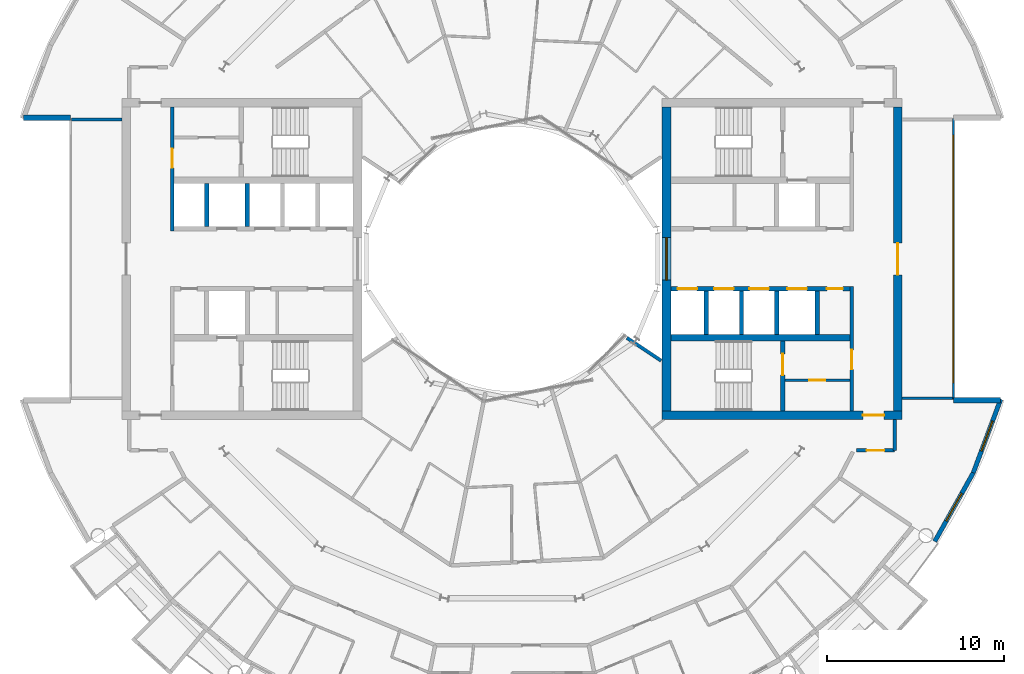
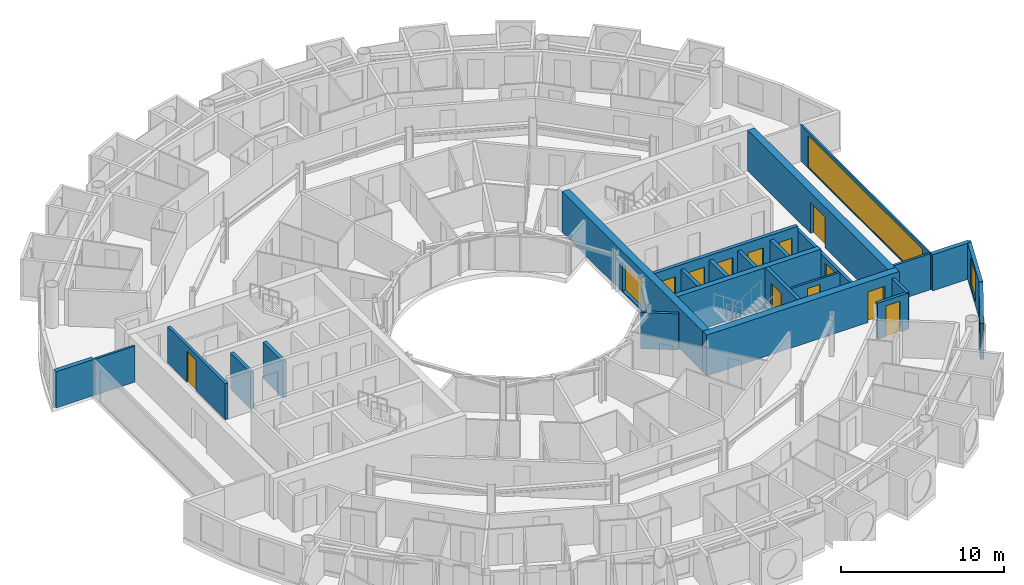
# One storey, part 18 of 27: 25 walls, 12 doors, 4 windows, 16 openings.
"""IFC4 building model written with IfcOpenShell, lengths in metres."""

from ifc_helpers import new_model, si_unit, direction, frame, frame_2d, origin, place, context, subcontext, project, spatial, rectangle, extrude, material, layer, layer_set, type_object, element, fill, save


model = new_model("IFC4")

# Units and contexts
model_context = context("Model", 3, precision=1e-05, world=origin(), true_north=direction((0.0, 1.0)))
body_context = subcontext(model_context, "Body", "Model", "MODEL_VIEW")
ifc_project = project(units=[si_unit("LENGTHUNIT", "METRE"), si_unit("AREAUNIT", "SQUARE_METRE"), si_unit("VOLUMEUNIT", "CUBIC_METRE"), si_unit("PLANEANGLEUNIT", "RADIAN"), si_unit("MASSUNIT", "GRAM", prefix="KILO")], contexts=[model_context])

# Site, building, storey
site_placement = place(None, origin())
site = spatial("IfcSite", under=ifc_project, at=site_placement, CompositionType="ELEMENT")
building_placement = place(site_placement, origin())
building = spatial("IfcBuilding", under=site, at=building_placement, Name="Maasbend Ring Residences", CompositionType="ELEMENT")
storey_placement = place(building_placement, frame((0.0, 0.0, 167.699951171875)))
storey = spatial("IfcBuildingStorey", under=building, at=storey_placement, Name="L48", CompositionType="ELEMENT", Elevation=167.699951171875)

# Wall, openings, doors
ifc_material_1 = material(Name="Concrete C60/75", Category="concrete")
ifc_layer_1 = layer(ifc_material_1, 0.25)
ifc_layer_set_1 = layer_set([ifc_layer_1], Name="Concrete C60/75")
wall_type_1 = type_object("IfcWallType", Name="CORE WALL 250 C60/75", PredefinedType="SHEAR", material=ifc_layer_set_1)
wall_1_placement = place(storey_placement, frame((19.14990234375, -1.699951171875, 0.0), z_axis=(0.0, 0.0, 1.0), x_axis=(-1.0, 0.0, 0.0)))
wall_1 = element("IfcWall", 1, at=wall_1_placement, inside=storey, type_object=wall_type_1, Name="L48 core E wall SPS", PredefinedType="SHEAR", context=body_context, shape_type="SweptSolid", body=[
    extrude(rectangle(XDim=10.14990234375, YDim=0.25, at=frame_2d((5.074951171875, 0.0))), origin(), (0.0, 0.0, 1.0), 3.050048828125),
])
opening_1_placement = place(wall_1_placement, frame((8.66259765625, 0.0, 0.0)))
opening_1 = element("IfcOpeningElement", 2, at=opening_1_placement, cuts=wall_1, Name="Opening LD-E4802", PredefinedType="OPENING", context=body_context, shape_type="SweptSolid", body=[
    extrude(rectangle(XDim=1.10009765625, YDim=2.300048828125, at=frame_2d((0.550048828125, 1.14990234375))), frame((0.0, 0.135009765625, 0.0), z_axis=(0.0, -1.0, 0.0), x_axis=(1.0, 0.0, 0.0)), (0.0, 0.0, 1.0), 0.27001953125),
])
opening_2_placement = place(wall_1_placement, frame((6.60009765625, 0.0, 0.0)))
opening_2 = element("IfcOpeningElement", 3, at=opening_2_placement, cuts=wall_1, Name="Opening LD-E4803", PredefinedType="OPENING", context=body_context, shape_type="SweptSolid", body=[
    extrude(rectangle(XDim=1.10009765625, YDim=2.300048828125, at=frame_2d((0.550048828125, 1.14990234375))), frame((0.0, 0.135009765625, 0.0), z_axis=(0.0, -1.0, 0.0), x_axis=(1.0, 0.0, 0.0)), (0.0, 0.0, 1.0), 0.27001953125),
])
opening_3_placement = place(wall_1_placement, frame((4.60009765625, 0.0, 0.0)))
opening_3 = element("IfcOpeningElement", 4, at=opening_3_placement, cuts=wall_1, Name="Opening LD-E4804", PredefinedType="OPENING", context=body_context, shape_type="SweptSolid", body=[
    extrude(rectangle(XDim=1.10009765625, YDim=2.300048828125, at=frame_2d((0.550048828125, 1.14990234375))), frame((0.0, 0.135009765625, 0.0), z_axis=(0.0, -1.0, 0.0), x_axis=(1.0, 0.0, 0.0)), (0.0, 0.0, 1.0), 0.27001953125),
])
opening_4_placement = place(wall_1_placement, frame((2.449951171875, 0.0, 0.0)))
opening_4 = element("IfcOpeningElement", 5, at=opening_4_placement, cuts=wall_1, Name="Opening LD-E4805", PredefinedType="OPENING", context=body_context, shape_type="SweptSolid", body=[
    extrude(rectangle(XDim=1.10009765625, YDim=2.300048828125, at=frame_2d((0.550048828125, 1.14990234375))), frame((0.0, 0.135009765625, 0.0), z_axis=(0.0, -1.0, 0.0), x_axis=(1.0, 0.0, 0.0)), (0.0, 0.0, 1.0), 0.27001953125),
])
opening_5_placement = place(wall_1_placement, frame((0.41259765625, 0.0, 0.0)))
opening_5 = element("IfcOpeningElement", 6, at=opening_5_placement, cuts=wall_1, Name="Opening D-E4809", PredefinedType="OPENING", context=body_context, shape_type="SweptSolid", body=[
    extrude(rectangle(XDim=0.89990234375, YDim=2.300048828125, at=frame_2d((0.449951171875, 1.14990234375))), frame((0.0, 0.135009765625, 0.0), z_axis=(0.0, -1.0, 0.0), x_axis=(1.0, 0.0, 0.0)), (0.0, 0.0, 1.0), 0.27001953125),
])
ifc_material_2 = material(Name="Stainless steel 316", Category="steel")
door_type_1 = type_object("IfcDoorType", Name="LANDING DOOR 1100 X 2300 FD60", OperationType="DOUBLE_DOOR_SLIDING", PredefinedType="DOOR", material=ifc_material_2)
door_1_placement = place(opening_1_placement, origin())
door_1 = element("IfcDoor", 7, at=door_1_placement, inside=storey, type_object=door_type_1, Name="Landing door HR-E1 L48", OperationType="DOUBLE_DOOR_SLIDING", OverallHeight=2.300048828125, OverallWidth=1.10009765625, PredefinedType="DOOR", context=body_context, shape_type="SweptSolid", body=[
    extrude(rectangle(XDim=1.10009765625, YDim=2.300048828125, at=frame_2d((0.550048828125, 1.14990234375))), frame((0.0, 0.02490234375, 0.0), z_axis=(0.0, -1.0, 0.0), x_axis=(1.0, 0.0, 0.0)), (0.0, 0.0, 1.0), 0.050048828125),
])
fill(opening_1, door_1)
door_2_placement = place(opening_2_placement, origin())
door_2 = element("IfcDoor", 8, at=door_2_placement, inside=storey, type_object=door_type_1, Name="Landing door HR-E2 L48", OperationType="DOUBLE_DOOR_SLIDING", OverallHeight=2.300048828125, OverallWidth=1.10009765625, PredefinedType="DOOR", context=body_context, shape_type="SweptSolid", body=[
    extrude(rectangle(XDim=1.10009765625, YDim=2.300048828125, at=frame_2d((0.550048828125, 1.14990234375))), frame((0.0, 0.02490234375, 0.0), z_axis=(0.0, -1.0, 0.0), x_axis=(1.0, 0.0, 0.0)), (0.0, 0.0, 1.0), 0.050048828125),
])
fill(opening_2, door_2)
door_3_placement = place(opening_3_placement, origin())
door_3 = element("IfcDoor", 9, at=door_3_placement, inside=storey, type_object=door_type_1, Name="Landing door HR-E3 L48", OperationType="DOUBLE_DOOR_SLIDING", OverallHeight=2.300048828125, OverallWidth=1.10009765625, PredefinedType="DOOR", context=body_context, shape_type="SweptSolid", body=[
    extrude(rectangle(XDim=1.10009765625, YDim=2.300048828125, at=frame_2d((0.550048828125, 1.14990234375))), frame((0.0, 0.02490234375, 0.0), z_axis=(0.0, -1.0, 0.0), x_axis=(1.0, 0.0, 0.0)), (0.0, 0.0, 1.0), 0.050048828125),
])
fill(opening_3, door_3)
door_4_placement = place(opening_4_placement, origin())
door_4 = element("IfcDoor", 10, at=door_4_placement, inside=storey, type_object=door_type_1, Name="Landing door SV-E L48", OperationType="DOUBLE_DOOR_SLIDING", OverallHeight=2.300048828125, OverallWidth=1.10009765625, PredefinedType="DOOR", context=body_context, shape_type="SweptSolid", body=[
    extrude(rectangle(XDim=1.10009765625, YDim=2.300048828125, at=frame_2d((0.550048828125, 1.14990234375))), frame((0.0, 0.02490234375, 0.0), z_axis=(0.0, -1.0, 0.0), x_axis=(1.0, 0.0, 0.0)), (0.0, 0.0, 1.0), 0.050048828125),
])
fill(opening_4, door_4)
ifc_material_3 = material(Name="Steel, powder coated", Category="steel")
door_type_2 = type_object("IfcDoorType", Name="ROOM DOOR 900 X 2300 FD30S", OperationType="NOTDEFINED", PredefinedType="DOOR", material=ifc_material_3)
door_5_placement = place(opening_5_placement, origin())
door_5 = element("IfcDoor", 11, at=door_5_placement, inside=storey, type_object=door_type_2, Name="Room door L48", OperationType="SINGLE_SWING_RIGHT", OverallHeight=2.300048828125, OverallWidth=0.89990234375, PredefinedType="DOOR", context=body_context, shape_type="SweptSolid", body=[
    extrude(rectangle(XDim=0.89990234375, YDim=2.300048828125, at=frame_2d((0.449951171875, 1.14990234375))), frame((0.0, 0.02490234375, 0.0), z_axis=(0.0, -1.0, 0.0), x_axis=(1.0, 0.0, 0.0)), (0.0, 0.0, 1.0), 0.050048828125),
])
fill(opening_5, door_5)

# Wall, opening, door
wall_2_placement = place(storey_placement, frame((15.324951171875, -8.60009765625, 0.0), z_axis=(0.0, 0.0, 1.0), x_axis=(0.0, 1.0, 0.0)))
wall_2 = element("IfcWall", 12, at=wall_2_placement, inside=storey, type_object=wall_type_1, Name="L48 core E wall STES", PredefinedType="SHEAR", context=body_context, shape_type="SweptSolid", body=[
    extrude(rectangle(XDim=3.9501953125, YDim=0.25, at=frame_2d((1.97509765625, 0.0))), origin(), (0.0, 0.0, 1.0), 3.050048828125),
])
opening_6_placement = place(wall_2_placement, frame((2.02490234375, 0.0, 0.0)))
opening_6 = element("IfcOpeningElement", 13, at=opening_6_placement, cuts=wall_2, Name="Opening D-E4812", PredefinedType="OPENING", context=body_context, shape_type="SweptSolid", body=[
    extrude(rectangle(XDim=1.199951171875, YDim=2.300048828125, at=frame_2d((0.60009765625, 1.14990234375))), frame((0.0, 0.135009765625, 0.0), z_axis=(0.0, -1.0, 0.0), x_axis=(1.0, 0.0, 0.0)), (0.0, 0.0, 1.0), 0.27001953125),
])
ifc_material_4 = material(Name="Steel, powder coated", Category="steel")
door_type_3 = type_object("IfcDoorType", Name="STAIR DOOR 1200 X 2300 FD60", OperationType="NOTDEFINED", PredefinedType="DOOR", material=ifc_material_4)
door_6_placement = place(opening_6_placement, origin())
door_6 = element("IfcDoor", 14, at=door_6_placement, inside=storey, type_object=door_type_3, Name="Stair door ST-E L48", OperationType="SINGLE_SWING_LEFT", OverallHeight=2.300048828125, OverallWidth=1.199951171875, PredefinedType="DOOR", context=body_context, shape_type="SweptSolid", body=[
    extrude(rectangle(XDim=1.199951171875, YDim=2.300048828125, at=frame_2d((0.60009765625, 1.14990234375))), frame((0.0, 0.02490234375, 0.0), z_axis=(0.0, -1.0, 0.0), x_axis=(1.0, 0.0, 0.0)), (0.0, 0.0, 1.0), 0.050048828125),
])
fill(opening_6, door_6)

# Wall
ifc_material_5 = material(Name="Concrete C60/75", Category="concrete")
ifc_layer_2 = layer(ifc_material_5, 0.375)
ifc_layer_set_2 = layer_set([ifc_layer_2], Name="Concrete C60/75")
wall_type_2 = type_object("IfcWallType", Name="CORE WALL 375 C60/75", PredefinedType="SHEAR", material=ifc_layer_set_2)
wall_3_placement = place(storey_placement, frame((9.0, -4.46240234375, 0.0), z_axis=(0.0, 0.0, 1.0), x_axis=(1.0, 0.0, 0.0)))
element("IfcWall", 15, at=wall_3_placement, inside=storey, type_object=wall_type_2, Name="L48 core E wall BS", PredefinedType="SHEAR", context=body_context, shape_type="SweptSolid", body=[
    extrude(rectangle(XDim=10.14990234375, YDim=0.375, at=frame_2d((5.074951171875, 0.0))), origin(), (0.0, 0.0, 1.0), 3.050048828125),
])

# Wall, opening, door
ifc_material_6 = material(Name="Concrete C60/75", Category="concrete")
ifc_layer_3 = layer(ifc_material_6, 0.5)
ifc_layer_set_3 = layer_set([ifc_layer_3], Name="Concrete C60/75")
wall_type_3 = type_object("IfcWallType", Name="CORE WALL 500 C60/75", PredefinedType="SHEAR", material=ifc_layer_set_3)
wall_4_placement = place(storey_placement, frame((8.5, -8.85009765625, 0.0), z_axis=(0.0, 0.0, 1.0), x_axis=(1.0, 0.0, 0.0)))
wall_4 = element("IfcWall", 16, at=wall_4_placement, inside=storey, type_object=wall_type_3, Name="L48 core E wall PS", PredefinedType="SHEAR", context=body_context, shape_type="SweptSolid", body=[
    extrude(rectangle(XDim=13.60009765625, YDim=0.5, at=frame_2d((6.800048828125, 0.0))), origin(), (0.0, 0.0, 1.0), 3.050048828125),
])
opening_7_placement = place(wall_4_placement, frame((11.375, 0.0, 0.0)))
opening_7 = element("IfcOpeningElement", 17, at=opening_7_placement, cuts=wall_4, Name="Opening D-E4816", PredefinedType="OPENING", context=body_context, shape_type="SweptSolid", body=[
    extrude(rectangle(XDim=1.199951171875, YDim=2.300048828125, at=frame_2d((0.60009765625, 1.14990234375))), frame((0.0, 0.260009765625, 0.0), z_axis=(0.0, -1.0, 0.0), x_axis=(1.0, 0.0, 0.0)), (0.0, 0.0, 1.0), 0.52001953125),
])
ifc_material_7 = material(Name="Steel, powder coated", Category="steel")
door_type_4 = type_object("IfcDoorType", Name="CORRIDOR DOOR 1200 X 2300 FD30S", OperationType="NOTDEFINED", PredefinedType="DOOR", material=ifc_material_7)
door_7_placement = place(opening_7_placement, origin())
door_7 = element("IfcDoor", 18, at=door_7_placement, inside=storey, type_object=door_type_4, Name="Corridor door L48", OperationType="SINGLE_SWING_LEFT", OverallHeight=2.300048828125, OverallWidth=1.199951171875, PredefinedType="DOOR", context=body_context, shape_type="SweptSolid", body=[
    extrude(rectangle(XDim=1.199951171875, YDim=2.300048828125, at=frame_2d((0.60009765625, 1.14990234375))), frame((0.0, 0.02490234375, 0.0), z_axis=(0.0, -1.0, 0.0), x_axis=(1.0, 0.0, 0.0)), (0.0, 0.0, 1.0), 0.050048828125),
])
fill(opening_7, door_7)

wall_5_placement = place(storey_placement, frame((21.85009765625, 8.60009765625, 0.0), z_axis=(0.0, 0.0, 1.0), x_axis=(0.0, -1.0, 0.0)))
wall_5 = element("IfcWall", 19, at=wall_5_placement, inside=storey, type_object=wall_type_3, Name="L48 core E wall POUT", PredefinedType="SHEAR", context=body_context, shape_type="SweptSolid", body=[
    extrude(rectangle(XDim=17.2001953125, YDim=0.5, at=frame_2d((8.60009765625, 0.0))), origin(), (0.0, 0.0, 1.0), 3.050048828125),
])
opening_8_placement = place(wall_5_placement, frame((7.699951171875, 0.0, 0.0)))
opening_8 = element("IfcOpeningElement", 20, at=opening_8_placement, cuts=wall_5, Name="Opening D-E4817", PredefinedType="OPENING", context=body_context, shape_type="SweptSolid", body=[
    extrude(rectangle(XDim=1.800048828125, YDim=2.300048828125, at=frame_2d((0.89990234375, 1.14990234375))), frame((0.0, 0.260009765625, 0.0), z_axis=(0.0, -1.0, 0.0), x_axis=(1.0, 0.0, 0.0)), (0.0, 0.0, 1.0), 0.52001953125),
])
ifc_material_8 = material(Name="Aluminium frame, clear glass", Category="aluminium")
door_type_5 = type_object("IfcDoorType", Name="ENTRANCE DOOR 1800 X 2300 FD60", OperationType="NOTDEFINED", PredefinedType="DOOR", material=ifc_material_8)
door_8_placement = place(opening_8_placement, origin())
door_8 = element("IfcDoor", 21, at=door_8_placement, inside=storey, type_object=door_type_5, Name="Lobby glazed door L48", OperationType="SINGLE_SWING_LEFT", OverallHeight=2.300048828125, OverallWidth=1.800048828125, PredefinedType="DOOR", context=body_context, shape_type="SweptSolid", body=[
    extrude(rectangle(XDim=1.800048828125, YDim=2.300048828125, at=frame_2d((0.89990234375, 1.14990234375))), frame((0.0, 0.02490234375, 0.0), z_axis=(0.0, -1.0, 0.0), x_axis=(1.0, 0.0, 0.0)), (0.0, 0.0, 1.0), 0.050048828125),
])
fill(opening_8, door_8)

# Wall, opening, window
wall_6_placement = place(storey_placement, frame((8.75, -8.60009765625, 0.0), z_axis=(0.0, 0.0, 1.0), x_axis=(0.0, 1.0, 0.0)))
wall_6 = element("IfcWall", 22, at=wall_6_placement, inside=storey, type_object=wall_type_3, Name="L48 core E wall PIN", PredefinedType="SHEAR", context=body_context, shape_type="SweptSolid", body=[
    extrude(rectangle(XDim=17.2001953125, YDim=0.5, at=frame_2d((8.60009765625, 0.0))), origin(), (0.0, 0.0, 1.0), 3.050048828125),
])
opening_9_placement = place(wall_6_placement, frame((7.39990234375, 0.0, 0.10009765625)))
opening_9 = element("IfcOpeningElement", 23, at=opening_9_placement, cuts=wall_6, Name="Opening W-E4801", PredefinedType="OPENING", context=body_context, shape_type="SweptSolid", body=[
    extrude(rectangle(XDim=2.39990234375, YDim=2.199951171875, at=frame_2d((1.199951171875, 1.10009765625))), frame((0.0, 0.260009765625, 0.0), z_axis=(0.0, -1.0, 0.0), x_axis=(1.0, 0.0, 0.0)), (0.0, 0.0, 1.0), 0.52001953125),
])
ifc_material_9 = material(Name="Aluminium frame and clear glass", Category="aluminium")
window_type_1 = type_object("IfcWindowType", Name="FIXED WINDOW 2400 X 2200", PartitioningType="SINGLE_PANEL", PredefinedType="WINDOW", material=ifc_material_9)
window_1_placement = place(opening_9_placement, origin())
window_1 = element("IfcWindow", 24, at=window_1_placement, inside=storey, type_object=window_type_1, Name="Lobby window L48", OverallHeight=2.199951171875, OverallWidth=2.39990234375, PartitioningType="SINGLE_PANEL", PredefinedType="WINDOW", context=body_context, shape_type="SweptSolid", body=[
    extrude(rectangle(XDim=2.39990234375, YDim=2.199951171875, at=frame_2d((1.199951171875, 1.10009765625))), frame((0.0, 0.030029296875, 0.0), z_axis=(0.0, -1.0, 0.0), x_axis=(1.0, 0.0, 0.0)), (0.0, 0.0, 1.0), 0.06005859375),
])
fill(opening_9, window_1)

# Wall
ifc_material_10 = material(Name="Concrete C30/37", Category="concrete")
ifc_layer_4 = layer(ifc_material_10, 0.199951171875)
ifc_layer_set_4 = layer_set([ifc_layer_4], Name="Concrete C30/37")
wall_type_4 = type_object("IfcWallType", Name="CORRIDOR WALL 200 CONCRETE", PredefinedType="PARTITIONING", material=ifc_layer_set_4)
wall_7_placement = place(storey_placement, frame((21.675048828125, -10.85009765625, 0.0), z_axis=(0.0, 0.0, 1.0), x_axis=(0.0, 1.0, 0.0)))
element("IfcWall", 25, at=wall_7_placement, inside=storey, type_object=wall_type_4, Name="U-L48-w018", PredefinedType="PARTITIONING", context=body_context, shape_type="SweptSolid", body=[
    extrude(rectangle(XDim=1.75, YDim=0.199951171875, at=frame_2d((0.875, 0.0))), origin(), (0.0, 0.0, 1.0), 2.699951171875),
])

# Wall, opening, door
wall_8_placement = place(storey_placement, frame((19.50390625, -10.85009765625, 0.0), z_axis=(0.0, 0.0, 1.0), x_axis=(1.0, 0.0, 0.0)))
wall_8 = element("IfcWall", 26, at=wall_8_placement, inside=storey, type_object=wall_type_4, Name="U-L48-w030", PredefinedType="PARTITIONING", context=body_context, shape_type="SweptSolid", body=[
    extrude(rectangle(XDim=2.171142578125, YDim=0.199951171875, at=frame_2d((1.08544921875, 0.0))), origin(), (0.0, 0.0, 1.0), 2.699951171875),
])
opening_10_placement = place(wall_8_placement, frame((0.5849609375, 0.0, 0.0)))
opening_10 = element("IfcOpeningElement", 27, at=opening_10_placement, cuts=wall_8, Name="Opening D-4867", PredefinedType="OPENING", context=body_context, shape_type="SweptSolid", body=[
    extrude(rectangle(XDim=1.0, YDim=2.300048828125, at=frame_2d((0.5, 1.14990234375))), frame((0.0, 0.10986328125, 0.0), z_axis=(0.0, -1.0, 0.0), x_axis=(1.0, 0.0, 0.0)), (0.0, 0.0, 1.0), 0.219970703125),
])
ifc_material_11 = material(Name="Timber, painted", Category="wood")
door_type_6 = type_object("IfcDoorType", Name="ROOM DOOR 1000 X 2300", OperationType="NOTDEFINED", PredefinedType="DOOR", material=ifc_material_11)
door_9_placement = place(opening_10_placement, origin())
door_9 = element("IfcDoor", 28, at=door_9_placement, inside=storey, type_object=door_type_6, Name="D-4867", OperationType="SINGLE_SWING_LEFT", OverallHeight=2.300048828125, OverallWidth=1.0, PredefinedType="DOOR", context=body_context, shape_type="SweptSolid", body=[
    extrude(rectangle(XDim=1.0, YDim=2.300048828125, at=frame_2d((0.5, 1.14990234375))), frame((0.0, 0.02490234375, 0.0), z_axis=(0.0, -1.0, 0.0), x_axis=(1.0, 0.0, 0.0)), (0.0, 0.0, 1.0), 0.050048828125),
])
fill(opening_10, door_9)

# Wall, opening, window
ifc_material_12 = material(Name="Aluminium clad insulated panel", Category="aluminium")
ifc_layer_5 = layer(ifc_material_12, 0.25)
ifc_layer_set_5 = layer_set([ifc_layer_5], Name="EW-HORN")
wall_type_5 = type_object("IfcWallType", Name="EW-HORN", PredefinedType="SOLIDWALL", material=ifc_layer_set_5)
wall_9_placement = place(storey_placement, frame((23.946044921875, -16.0, 0.0), z_axis=(0.0, 0.0, 1.0), x_axis=(0.489696356642, 0.871893042919, 0.0)))
wall_9 = element("IfcWall", 29, at=wall_9_placement, inside=storey, type_object=wall_type_5, Name="Horn wall 2.1", PredefinedType="SOLIDWALL", context=body_context, shape_type="SweptSolid", body=[
    extrude(rectangle(XDim=4.45361328125, YDim=0.25, at=frame_2d((2.226806640625, 0.0))), origin(), (0.0, 0.0, 1.0), 2.699951171875),
])
opening_11_placement = place(wall_9_placement, frame((1.32666015625, 0.0, 0.300048828125)))
opening_11 = element("IfcOpeningElement", 30, at=opening_11_placement, cuts=wall_9, Name="Opening W-BX", PredefinedType="OPENING", context=body_context, shape_type="SweptSolid", body=[
    extrude(rectangle(XDim=1.800048828125, YDim=2.10009765625, at=frame_2d((0.89990234375, 1.050048828125))), frame((0.0, 0.135009765625, 0.0), z_axis=(0.0, -1.0, 0.0), x_axis=(1.0, 0.0, 0.0)), (0.0, 0.0, 1.0), 0.27001953125),
])
ifc_material_13 = material(Name="Aluminium and clear glass", Category="aluminium")
window_type_2 = type_object("IfcWindowType", Name="W-BX", PartitioningType="DOUBLE_PANEL_VERTICAL", PredefinedType="WINDOW", material=ifc_material_13)
window_2_placement = place(opening_11_placement, origin())
window_2 = element("IfcWindow", 31, at=window_2_placement, inside=storey, type_object=window_type_2, Name="Horn window 2.1", OverallHeight=2.10009765625, OverallWidth=1.800048828125, PartitioningType="SINGLE_PANEL", PredefinedType="WINDOW", context=body_context, shape_type="SweptSolid", body=[
    extrude(rectangle(XDim=1.800048828125, YDim=2.10009765625, at=frame_2d((0.89990234375, 1.050048828125))), frame((0.0, 0.030029296875, 0.0), z_axis=(0.0, -1.0, 0.0), x_axis=(1.0, 0.0, 0.0)), (0.0, 0.0, 1.0), 0.06005859375),
])
fill(opening_11, window_2)

wall_10_placement = place(storey_placement, frame((26.126953125, -12.116943359375, 0.0), z_axis=(0.0, 0.0, 1.0), x_axis=(0.349247811493, 0.937030397675, 0.0)))
wall_10 = element("IfcWall", 32, at=wall_10_placement, inside=storey, type_object=wall_type_5, Name="Horn wall 2.2", PredefinedType="SOLIDWALL", context=body_context, shape_type="SweptSolid", body=[
    extrude(rectangle(XDim=4.4521484375, YDim=0.25, at=frame_2d((2.22607421875, 0.0))), origin(), (0.0, 0.0, 1.0), 2.699951171875),
])
opening_12_placement = place(wall_10_placement, frame((1.32666015625, 0.0, 0.300048828125)))
opening_12 = element("IfcOpeningElement", 33, at=opening_12_placement, cuts=wall_10, Name="Opening W-BX", PredefinedType="OPENING", context=body_context, shape_type="SweptSolid", body=[
    extrude(rectangle(XDim=1.800048828125, YDim=2.10009765625, at=frame_2d((0.89990234375, 1.050048828125))), frame((0.0, 0.135009765625, 0.0), z_axis=(0.0, -1.0, 0.0), x_axis=(1.0, 0.0, 0.0)), (0.0, 0.0, 1.0), 0.27001953125),
])
window_3_placement = place(opening_12_placement, origin())
window_3 = element("IfcWindow", 34, at=window_3_placement, inside=storey, type_object=window_type_2, Name="Horn window 2.2", OverallHeight=2.10009765625, OverallWidth=1.800048828125, PartitioningType="SINGLE_PANEL", PredefinedType="WINDOW", context=body_context, shape_type="SweptSolid", body=[
    extrude(rectangle(XDim=1.800048828125, YDim=2.10009765625, at=frame_2d((0.89990234375, 1.050048828125))), frame((0.0, 0.030029296875, 0.0), z_axis=(0.0, -1.0, 0.0), x_axis=(1.0, 0.0, 0.0)), (0.0, 0.0, 1.0), 0.06005859375),
])
fill(opening_12, window_3)

# Walls
ifc_material_14 = material(Name="Aluminium clad insulated panel", Category="aluminium")
ifc_layer_6 = layer(ifc_material_14, 0.300048828125)
ifc_layer_set_6 = layer_set([ifc_layer_6], Name="EW-RET")
wall_type_6 = type_object("IfcWallType", Name="EW-RET", PredefinedType="SOLIDWALL", material=ifc_layer_set_6)
for number, where, z_axis, x_axis, name in (
    (35, (25.0, -8.0, 0.0), (0.0, 0.0, 1.0), (1.0, 0.0, 0.0), "Notch return wall east south"),
    (36, (-25.0, 8.0, 0.0), (0.0, 0.0, 1.0), (-1.0, 0.0, 0.0), "Notch return wall west north"),
):
    element("IfcWall", number, at=place(storey_placement, frame(where, z_axis=z_axis, x_axis=x_axis)), inside=storey, type_object=wall_type_6, Name=name, PredefinedType="SOLIDWALL", context=body_context, shape_type="SweptSolid", body=[
        extrude(rectangle(XDim=2.6669921875, YDim=0.300048828125, at=frame_2d((1.33349609375, 0.0))), origin(), (0.0, 0.0, 1.0), 2.699951171875),
    ])

# Wall, opening, window
ifc_material_15 = material(Name="Aluminium frame and clear glass", Category="aluminium")
ifc_layer_7 = layer(ifc_material_15, 0.1201171875)
ifc_layer_set_7 = layer_set([ifc_layer_7], Name="GLAZED SCREEN WALL 120 EI 60")
wall_type_7 = type_object("IfcWallType", Name="GLAZED SCREEN WALL 120 EI 60", PredefinedType="PARTITIONING", material=ifc_layer_set_7)
wall_11_placement = place(storey_placement, frame((25.0, -7.949951171875, 0.0), z_axis=(0.0, 0.0, 1.0), x_axis=(0.0, 1.0, 0.0)))
wall_11 = element("IfcWall", 37, at=wall_11_placement, inside=storey, type_object=wall_type_7, Name="L48 core E wall FACE", PredefinedType="PARTITIONING", context=body_context, shape_type="SweptSolid", body=[
    extrude(rectangle(XDim=15.89990234375, YDim=0.1201171875, at=frame_2d((7.949951171875, 0.0))), origin(), (0.0, 0.0, 1.0), 2.699951171875),
])
opening_13_placement = place(wall_11_placement, frame((0.949951171875, 0.0, 0.10009765625)))
opening_13 = element("IfcOpeningElement", 38, at=opening_13_placement, cuts=wall_11, Name="Opening W-E4802", PredefinedType="OPENING", context=body_context, shape_type="SweptSolid", body=[
    extrude(rectangle(XDim=14.0, YDim=2.35009765625, at=frame_2d((7.0, 1.175048828125))), frame((0.0, 0.070068359375, 0.0), z_axis=(0.0, -1.0, 0.0), x_axis=(1.0, 0.0, 0.0)), (0.0, 0.0, 1.0), 0.14013671875),
])
ifc_material_16 = material(Name="Aluminium frame and clear glass", Category="aluminium")
window_type_3 = type_object("IfcWindowType", Name="FIXED WINDOW 14000 X 2350", PartitioningType="SINGLE_PANEL", PredefinedType="WINDOW", material=ifc_material_16)
window_4_placement = place(opening_13_placement, origin())
window_4 = element("IfcWindow", 39, at=window_4_placement, inside=storey, type_object=window_type_3, Name="Lobby window L48", OverallHeight=2.35009765625, OverallWidth=14.0, PartitioningType="SINGLE_PANEL", PredefinedType="WINDOW", context=body_context, shape_type="SweptSolid", body=[
    extrude(rectangle(XDim=14.0, YDim=2.35009765625, at=frame_2d((7.0, 1.175048828125))), frame((0.0, 0.030029296875, 0.0), z_axis=(0.0, -1.0, 0.0), x_axis=(1.0, 0.0, 0.0)), (0.0, 0.0, 1.0), 0.06005859375),
])
fill(opening_13, window_4)

# Wall, opening, door
ifc_material_17 = material(Name="Gypsum board on steel studs", Category="steel")
ifc_layer_8 = layer(ifc_material_17, 0.14990234375)
ifc_layer_set_8 = layer_set([ifc_layer_8], Name="PARTITION 150 EI 60")
wall_type_8 = type_object("IfcWallType", Name="PARTITION 150 EI 60", PredefinedType="PARTITIONING", material=ifc_layer_set_8)
wall_12_placement = place(storey_placement, frame((15.449951171875, -6.875, 0.0), z_axis=(0.0, 0.0, 1.0), x_axis=(1.0, 0.0, 0.0)))
wall_12 = element("IfcWall", 40, at=wall_12_placement, inside=storey, type_object=wall_type_8, Name="L48 core E wall RHS", PredefinedType="PARTITIONING", context=body_context, shape_type="SweptSolid", body=[
    extrude(rectangle(XDim=3.699951171875, YDim=0.14990234375, at=frame_2d((1.85009765625, 0.0))), origin(), (0.0, 0.0, 1.0), 2.699951171875),
])
opening_14_placement = place(wall_12_placement, frame((1.39990234375, 0.0, 0.0)))
opening_14 = element("IfcOpeningElement", 41, at=opening_14_placement, cuts=wall_12, Name="Opening D-E4810", PredefinedType="OPENING", context=body_context, shape_type="SweptSolid", body=[
    extrude(rectangle(XDim=0.89990234375, YDim=2.300048828125, at=frame_2d((0.449951171875, 1.14990234375))), frame((0.0, 0.0849609375, 0.0), z_axis=(0.0, -1.0, 0.0), x_axis=(1.0, 0.0, 0.0)), (0.0, 0.0, 1.0), 0.169921875),
])
ifc_material_18 = material(Name="Steel, powder coated", Category="steel")
door_type_7 = type_object("IfcDoorType", Name="RISER DOOR 900 X 2300 FD60", OperationType="NOTDEFINED", PredefinedType="DOOR", material=ifc_material_18)
door_10_placement = place(opening_14_placement, origin())
door_10 = element("IfcDoor", 42, at=door_10_placement, inside=storey, type_object=door_type_7, Name="Riser door L48", OperationType="SINGLE_SWING_LEFT", OverallHeight=2.300048828125, OverallWidth=0.89990234375, PredefinedType="DOOR", context=body_context, shape_type="SweptSolid", body=[
    extrude(rectangle(XDim=0.89990234375, YDim=2.300048828125, at=frame_2d((0.449951171875, 1.14990234375))), frame((0.0, 0.02490234375, 0.0), z_axis=(0.0, -1.0, 0.0), x_axis=(1.0, 0.0, 0.0)), (0.0, 0.0, 1.0), 0.050048828125),
])
fill(opening_14, door_10)

# Walls
for number, where, z_axis, x_axis, name in (
    (43, (22.10009765625, -7.89990234375, 0.0), (0.0, 0.0, 1.0), (1.0, 0.0, 0.0), "L48 core E wall CITS"),
    (44, (-22.10009765625, 7.89990234375, 0.0), (0.0, 0.0, 1.0), (-1.0, 0.0, 0.0), "L48 core W wall CITS"),
):
    element("IfcWall", number, at=place(storey_placement, frame(where, z_axis=z_axis, x_axis=x_axis)), inside=storey, type_object=wall_type_8, Name=name, PredefinedType="PARTITIONING", context=body_context, shape_type="SweptSolid", body=[
        extrude(rectangle(XDim=2.83984375, YDim=0.14990234375, at=frame_2d((1.419921875, 0.0))), origin(), (0.0, 0.0, 1.0), 2.699951171875),
    ])
ifc_material_19 = material(Name="Concrete C30/37", Category="concrete")
ifc_layer_9 = layer(ifc_material_19, 0.199951171875)
ifc_layer_set_9 = layer_set([ifc_layer_9], Name="Concrete C30/37")
wall_type_9 = type_object("IfcWallType", Name="PARTY WALL 200 CONCRETE", PredefinedType="PARTITIONING", material=ifc_layer_set_9)
wall_13_placement = place(storey_placement, frame((6.512939453125, -4.471923828125, 0.0), z_axis=(0.0, 0.0, 1.0), x_axis=(0.83133816625, -0.555766905579, 0.0)))
element("IfcWall", 45, at=wall_13_placement, inside=storey, type_object=wall_type_9, Name="U-L48-w032", PredefinedType="PARTITIONING", context=body_context, shape_type="SweptSolid", body=[
    extrude(rectangle(XDim=2.322998046875, YDim=0.199951171875, at=frame_2d((1.16162109375, 0.0))), origin(), (0.0, 0.0, 1.0), 2.699951171875),
])

# Wall, opening, door
ifc_material_20 = material(Name="Concrete C30/37", Category="concrete")
ifc_layer_10 = layer(ifc_material_20, 0.199951171875)
ifc_layer_set_10 = layer_set([ifc_layer_10], Name="Concrete C30/37")
wall_type_10 = type_object("IfcWallType", Name="SHAFT WALL 200 EI 120", PredefinedType="SOLIDWALL", material=ifc_layer_set_10)
wall_14_placement = place(storey_placement, frame((19.25, -8.60009765625, 0.0), z_axis=(0.0, 0.0, 1.0), x_axis=(0.0, 1.0, 0.0)))
wall_14 = element("IfcWall", 46, at=wall_14_placement, inside=storey, type_object=wall_type_10, Name="L48 core E wall ENDS", PredefinedType="SOLIDWALL", context=body_context, shape_type="SweptSolid", body=[
    extrude(rectangle(XDim=7.025146484375, YDim=0.199951171875, at=frame_2d((3.5126953125, 0.0))), origin(), (0.0, 0.0, 1.0), 2.699951171875),
])
opening_15_placement = place(wall_14_placement, frame((2.35009765625, 0.0, 0.0)))
opening_15 = element("IfcOpeningElement", 47, at=opening_15_placement, cuts=wall_14, Name="Opening D-E4814", PredefinedType="OPENING", context=body_context, shape_type="SweptSolid", body=[
    extrude(rectangle(XDim=1.10009765625, YDim=2.300048828125, at=frame_2d((0.550048828125, 1.14990234375))), frame((0.0, 0.10986328125, 0.0), z_axis=(0.0, -1.0, 0.0), x_axis=(1.0, 0.0, 0.0)), (0.0, 0.0, 1.0), 0.219970703125),
])
ifc_material_21 = material(Name="Steel, powder coated", Category="steel")
door_type_8 = type_object("IfcDoorType", Name="LOBBY DOOR 1100 X 2300 FD60", OperationType="NOTDEFINED", PredefinedType="DOOR", material=ifc_material_21)
door_11_placement = place(opening_15_placement, origin())
door_11 = element("IfcDoor", 48, at=door_11_placement, inside=storey, type_object=door_type_8, Name="Lobby door L48", OperationType="SINGLE_SWING_RIGHT", OverallHeight=2.300048828125, OverallWidth=1.10009765625, PredefinedType="DOOR", context=body_context, shape_type="SweptSolid", body=[
    extrude(rectangle(XDim=1.10009765625, YDim=2.300048828125, at=frame_2d((0.550048828125, 1.14990234375))), frame((0.0, 0.02490234375, 0.0), z_axis=(0.0, -1.0, 0.0), x_axis=(1.0, 0.0, 0.0)), (0.0, 0.0, 1.0), 0.050048828125),
])
fill(opening_15, door_11)

wall_15_placement = place(storey_placement, frame((-19.25, 8.60009765625, 0.0), z_axis=(0.0, 0.0, 1.0), x_axis=(0.0, -1.0, 0.0)))
wall_15 = element("IfcWall", 49, at=wall_15_placement, inside=storey, type_object=wall_type_10, Name="L48 core W wall ENDS", PredefinedType="SOLIDWALL", context=body_context, shape_type="SweptSolid", body=[
    extrude(rectangle(XDim=7.025146484375, YDim=0.199951171875, at=frame_2d((3.5126953125, 0.0))), origin(), (0.0, 0.0, 1.0), 2.699951171875),
])
opening_16_placement = place(wall_15_placement, frame((2.35009765625, 0.0, 0.0)))
opening_16 = element("IfcOpeningElement", 50, at=opening_16_placement, cuts=wall_15, Name="Opening D-W4813", PredefinedType="OPENING", context=body_context, shape_type="SweptSolid", body=[
    extrude(rectangle(XDim=1.10009765625, YDim=2.300048828125, at=frame_2d((0.550048828125, 1.14990234375))), frame((0.0, 0.10986328125, 0.0), z_axis=(0.0, -1.0, 0.0), x_axis=(1.0, 0.0, 0.0)), (0.0, 0.0, 1.0), 0.219970703125),
])
door_12_placement = place(opening_16_placement, origin())
door_12 = element("IfcDoor", 51, at=door_12_placement, inside=storey, type_object=door_type_8, Name="Lobby door L48", OperationType="SINGLE_SWING_RIGHT", OverallHeight=2.300048828125, OverallWidth=1.10009765625, PredefinedType="DOOR", context=body_context, shape_type="SweptSolid", body=[
    extrude(rectangle(XDim=1.10009765625, YDim=2.300048828125, at=frame_2d((0.550048828125, 1.14990234375))), frame((0.0, 0.02490234375, 0.0), z_axis=(0.0, -1.0, 0.0), x_axis=(1.0, 0.0, 0.0)), (0.0, 0.0, 1.0), 0.050048828125),
])
fill(opening_16, door_12)

# Walls
ifc_material_22 = material(Name="Concrete C30/37", Category="concrete")
ifc_layer_11 = layer(ifc_material_22, 0.25)
ifc_layer_set_11 = layer_set([ifc_layer_11], Name="Concrete C30/37")
wall_type_11 = type_object("IfcWallType", Name="SHAFT WALL 250 EI 120", PredefinedType="SOLIDWALL", material=ifc_layer_set_11)
for number, where, z_axis, x_axis, name in (
    (52, (15.0, -1.824951171875, 0.0), (0.0, 0.0, 1.0), (0.0, -1.0, 0.0), "L48 core E wall D150S"),
    (53, (17.300048828125, -1.824951171875, 0.0), (0.0, 0.0, 1.0), (0.0, -1.0, 0.0), "L48 core E wall D173S"),
    (54, (11.0, -1.824951171875, 0.0), (0.0, 0.0, 1.0), (0.0, -1.0, 0.0), "L48 core E wall D110S"),
    (55, (13.0, -1.824951171875, 0.0), (0.0, 0.0, 1.0), (0.0, -1.0, 0.0), "L48 core E wall D130S"),
    (56, (-15.0, 1.824951171875, 0.0), (0.0, 0.0, 1.0), (0.0, 1.0, 0.0), "L48 core W wall D150S"),
    (57, (-17.300048828125, 1.824951171875, 0.0), (0.0, 0.0, 1.0), (0.0, 1.0, 0.0), "L48 core W wall D173S"),
):
    element("IfcWall", number, at=place(storey_placement, frame(where, z_axis=z_axis, x_axis=x_axis)), inside=storey, type_object=wall_type_11, Name=name, PredefinedType="SOLIDWALL", context=body_context, shape_type="SweptSolid", body=[
        extrude(rectangle(XDim=2.449951171875, YDim=0.25, at=frame_2d((1.22509765625, 0.0))), origin(), (0.0, 0.0, 1.0), 2.699951171875),
    ])

save(model, "model.ifc")
